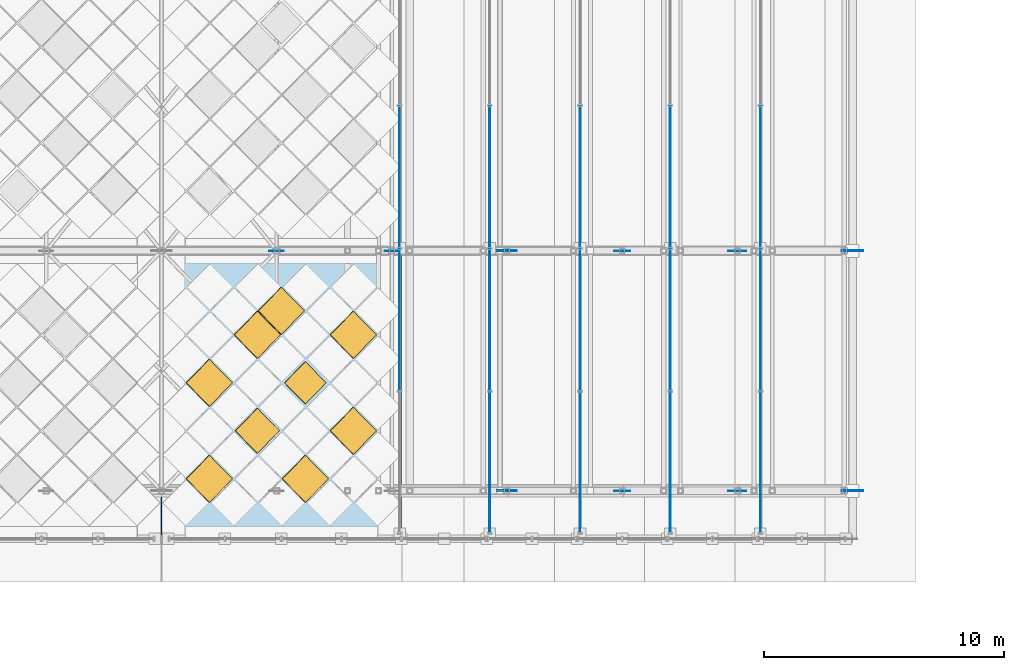
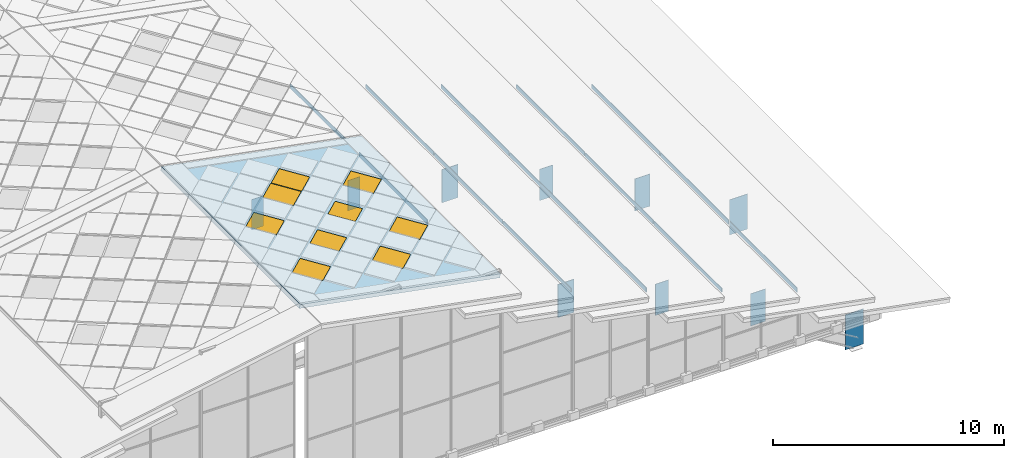
# One storey, part 87 of 117: 24 plates, 9 windows, 1 slab, 9 openings, 5 elements without a shape of their own.
"""IFC4 building model written with IfcOpenShell, lengths in metres."""

import ifcopenshell
import ifcopenshell.guid

model = None  # the IFC model being written
_history = None  # IfcOwnerHistory: only IFC2X3 demands one
_inside = {}  # id of a spatial element -> (the spatial element, [elements in it])
_under = {}  # id of a project, library or spatial element -> (it, [spatial elements below it])
_declared = {}  # id of a project -> (the project, [libraries it declares])
_typed = {}  # id of a type object -> (the type object, [elements of that type])
_made_of = {}  # id of a material, layer set ... -> (it, [elements and type objects made of it])


def new_model(schema):
    """Start an empty IFC model of exactly this schema.

    Asked for "IFC4X3", IfcOpenShell would pick the latest addendum, in which some entities
    have other attributes; the version numbers below select the first issue.
    IFC2X3 requires an IfcOwnerHistory on every rooted entity: one is made here for all.
    """
    global model, _history
    if schema == "IFC4X3":
        model = ifcopenshell.file(schema_version=(4, 3, 0, 0))
    else:
        model = ifcopenshell.file(schema=schema)
    _inside.clear()
    _under.clear()
    _declared.clear()
    _typed.clear()
    _made_of.clear()
    _history = None
    if model.schema == "IFC2X3":
        org = make("IfcOrganization", Name="unknown")
        user = make(
            "IfcPersonAndOrganization",
            ThePerson=make("IfcPerson", FamilyName="unknown"),
            TheOrganization=org,
        )
        app = make(
            "IfcApplication",
            ApplicationDeveloper=org,
            Version="unknown",
            ApplicationFullName="unknown",
            ApplicationIdentifier="unknown",
        )
        _history = make(
            "IfcOwnerHistory",
            OwningUser=user,
            OwningApplication=app,
            ChangeAction="ADDED",
            CreationDate=0,
        )
    return model


def make(cls, **values):
    """One entity of the class cls with the attributes given. An attribute that is None is left unset."""
    return model.create_entity(
        cls, **{name: value for name, value in values.items() if value is not None}
    )


def rooted(cls, **values):
    """An entity with a GlobalId (a new one), such as an element, a storey or a relation."""
    return make(cls, GlobalId=ifcopenshell.guid.new(), OwnerHistory=_history, **values)


def si_unit(unit_type, name, prefix=None):
    """IfcSIUnit, for example si_unit("LENGTHUNIT", "METRE", prefix="MILLI")."""
    return make("IfcSIUnit", UnitType=unit_type, Prefix=prefix, Name=name)


def assignment(units):
    """IfcUnitAssignment: the units of a project."""
    return None if units is None else make("IfcUnitAssignment", Units=units)


def point(xyz):
    """IfcCartesianPoint."""
    return None if xyz is None else make("IfcCartesianPoint", Coordinates=xyz)


def direction(xyz):
    """IfcDirection."""
    return None if xyz is None else make("IfcDirection", DirectionRatios=xyz)


def frame(location, z_axis=None, x_axis=None):
    """IfcAxis2Placement3D, a coordinate frame: its origin and axes. An axis left out is left unset."""
    return make(
        "IfcAxis2Placement3D",
        Location=point(location),
        Axis=direction(z_axis),
        RefDirection=direction(x_axis),
    )


def frame_2d(location, x_axis=None):
    """IfcAxis2Placement2D, a coordinate frame in the plane: its origin and x axis."""
    return make(
        "IfcAxis2Placement2D", Location=point(location), RefDirection=direction(x_axis)
    )


def origin():
    """The frame at (0, 0, 0) with its axes left unset."""
    return frame((0.0, 0.0, 0.0))


def origin_2d():
    """The frame at (0, 0) in the plane with its x axis left unset."""
    return frame_2d((0.0, 0.0))


def place(relative_to, where):
    """IfcLocalPlacement: puts the frame where relative to a parent placement (None: the world)."""
    return make(
        "IfcLocalPlacement", PlacementRelTo=relative_to, RelativePlacement=where
    )


def context(
    kind, dimensions, precision=None, world=None, true_north=None, identifier=None
):
    """IfcGeometricRepresentationContext, for example the 3D "Model" context."""
    return make(
        "IfcGeometricRepresentationContext",
        ContextIdentifier=identifier,
        ContextType=kind,
        CoordinateSpaceDimension=dimensions,
        Precision=precision,
        WorldCoordinateSystem=world,
        TrueNorth=true_north,
    )


def subcontext(parent, identifier, kind, view, scale=None):
    """IfcGeometricRepresentationSubContext, for example "Body" below "Model"."""
    return make(
        "IfcGeometricRepresentationSubContext",
        ContextIdentifier=identifier,
        ContextType=kind,
        ParentContext=parent,
        TargetScale=scale,
        TargetView=view,
    )


def project(units=None, contexts=None):
    """IfcProject with its units and contexts."""
    return rooted(
        "IfcProject",
        Name="project",
        RepresentationContexts=contexts,
        UnitsInContext=assignment(units),
    )


def spatial(cls, under=None, at=None, **own):
    """A site, building, storey or space (cls), placed at a placement, below another one or the project."""
    s = rooted(cls, ObjectPlacement=at, **own)
    if under is not None:
        _under.setdefault(under.id(), (under, []))[1].append(s)
    return s


def polyline(points):
    """IfcPolyline through the points."""
    return make("IfcPolyline", Points=[point(p) for p in points])


def profile(cls, at=None, kind="AREA", **sizes):
    """A parametric profile (cls). Its sizes go by their IFC names, for example OverallWidth=200.0."""
    return make(cls, ProfileType=kind, Position=at, **sizes)


def rectangle(**sizes):
    """IfcRectangleProfileDef."""
    return profile("IfcRectangleProfileDef", **sizes)


def outline(outer, holes=None, kind="AREA"):
    """IfcArbitraryClosedProfileDef: a profile drawn as a closed curve; with holes, ...WithVoids."""
    if holes is None:
        return make("IfcArbitraryClosedProfileDef", ProfileType=kind, OuterCurve=outer)
    return make(
        "IfcArbitraryProfileDefWithVoids",
        ProfileType=kind,
        OuterCurve=outer,
        InnerCurves=holes,
    )


def extrude(swept, where, along, depth):
    """IfcExtrudedAreaSolid: the profile swept, set in the frame where, extruded along a direction by depth."""
    return make(
        "IfcExtrudedAreaSolid",
        SweptArea=swept,
        Position=where,
        ExtrudedDirection=direction(along),
        Depth=depth,
    )


def shape(context_of_items, identifier, shape_type, items):
    """IfcShapeRepresentation: the items that make up one representation, for example the "Body"."""
    return make(
        "IfcShapeRepresentation",
        ContextOfItems=context_of_items,
        RepresentationIdentifier=identifier,
        RepresentationType=shape_type,
        Items=items,
    )


def material(Name=None, Category=None):
    """IfcMaterial."""
    return make("IfcMaterial", Name=Name, Category=Category)


def layer(
    of_material, thickness, ventilated=None, Name=None, Category=None, Priority=None
):
    """IfcMaterialLayer: one layer of a wall or slab, of a material (None: an air gap)."""
    return make(
        "IfcMaterialLayer",
        Material=of_material,
        LayerThickness=thickness,
        IsVentilated=ventilated,
        Name=Name,
        Category=Category,
        Priority=Priority,
    )


def layer_set(layers, Name=None):
    """IfcMaterialLayerSet."""
    return make("IfcMaterialLayerSet", MaterialLayers=layers, LayerSetName=Name)


def made_of(thing, what):
    """Note that an element or type object is made of a material, layer set ...; save() writes the relation."""
    if what is not None:
        _made_of.setdefault(what.id(), (what, []))[1].append(thing)
    return thing


def type_object(cls, material=None, **own):
    """A type object (cls), such as IfcWallType, which elements share."""
    return made_of(rooted(cls, **own), material)


def element(
    cls,
    number,
    at=None,
    inside=None,
    cuts=None,
    type_object=None,
    material=None,
    context=None,
    identifier="Body",
    shape_type=None,
    held_by="IfcProductDefinitionShape",
    body=None,
    shapes=None,
    **own,
):
    """One element of the class cls, such as IfcWall. Its Tag is "e" and its number.

    at: its placement. inside: the storey or other place that contains it. cuts: it is an
    opening in that element (IfcRelVoidsElement). A single representation is given by context,
    identifier, shape_type and body (its items); several are given by shapes. held_by: the class
    of the entity that holds the representations. save() writes the other relations.
    """
    e = rooted(cls, Tag="e%d" % number, ObjectPlacement=at, **own)
    if body is not None:
        shapes = [shape(context, identifier, shape_type, body)]
    if shapes is not None:
        e.Representation = make(held_by, Representations=shapes)
    if inside is not None:
        _inside.setdefault(inside.id(), (inside, []))[1].append(e)
    if cuts is not None:
        rooted(
            "IfcRelVoidsElement", RelatingBuildingElement=cuts, RelatedOpeningElement=e
        )
    if type_object is not None:
        _typed.setdefault(type_object.id(), (type_object, []))[1].append(e)
    return made_of(e, material)


def fill(opening, filler):
    """IfcRelFillsElement: the door or window that sits in an opening."""
    return rooted(
        "IfcRelFillsElement",
        RelatingOpeningElement=opening,
        RelatedBuildingElement=filler,
    )


def aggregate(whole, parts):
    """IfcRelAggregates: a whole, such as a stair, and the parts it consists of."""
    return rooted("IfcRelAggregates", RelatingObject=whole, RelatedObjects=parts)


def save(model, path):
    """Write the relations noted so far, then the file.

    IfcRelAggregates (storeys below a building ...), IfcRelContainedInSpatialStructure (elements
    in a storey), IfcRelDefinesByType, IfcRelAssociatesMaterial and IfcRelDeclares: one each for
    every whole, place, type object, material and project.
    """
    for whole, parts in _under.values():
        aggregate(whole, parts)
    for where, things in _inside.values():
        rooted(
            "IfcRelContainedInSpatialStructure",
            RelatedElements=things,
            RelatingStructure=where,
        )
    for kind, things in _typed.values():
        rooted("IfcRelDefinesByType", RelatedObjects=things, RelatingType=kind)
    for what, things in _made_of.values():
        rooted("IfcRelAssociatesMaterial", RelatedObjects=things, RelatingMaterial=what)
    for by, libraries in _declared.values():
        rooted("IfcRelDeclares", RelatingContext=by, RelatedDefinitions=libraries)
    model.write(path)


model = new_model("IFC4")

# Units and contexts
model_context = context("Model", 3, precision=1e-05, world=origin(), true_north=direction((0.0, 1.0)))
body_context = subcontext(model_context, "Body", "Model", "MODEL_VIEW")
ifc_project = project(units=[si_unit("LENGTHUNIT", "METRE"), si_unit("AREAUNIT", "SQUARE_METRE"), si_unit("VOLUMEUNIT", "CUBIC_METRE"), si_unit("PLANEANGLEUNIT", "RADIAN"), si_unit("MASSUNIT", "GRAM", prefix="KILO")], contexts=[model_context])

# Site, building, storey
site_placement = place(None, origin())
site = spatial("IfcSite", under=ifc_project, at=site_placement, CompositionType="ELEMENT")
building_placement = place(site_placement, origin())
building = spatial("IfcBuilding", under=site, at=building_placement, Name="Merenkruunu Market Hall", CompositionType="ELEMENT")
storey_placement = place(building_placement, frame((0.0, 0.0, 22.800048828125)))
storey = spatial("IfcBuildingStorey", under=building, at=storey_placement, Name="RF", CompositionType="ELEMENT", Elevation=22.800048828125)

# Curtain wall, plates
ifc_material_1 = material(Name="Powder-coated aluminium", Category="aluminium")
curtain_wall_type = type_object("IfcCurtainWallType", Name="Clerestory Curtain Band CL05", PredefinedType="USERDEFINED", material=ifc_material_1)
curtain_wall_1_placement = place(storey_placement, origin())
curtain_wall_1 = element("IfcCurtainWall", 1, at=curtain_wall_1_placement, inside=storey, type_object=curtain_wall_type, Name="CW-RF-CWM04-082", ObjectType="CLERESTORY_BAND", PredefinedType="USERDEFINED")
ifc_material_2 = material(Name="Triple low-E insulated glass", Category="glass")
ifc_layer_1 = layer(ifc_material_2, 0.035888671875)
ifc_layer_set_1 = layer_set([ifc_layer_1], Name="Triple low-E insulated glass")
plate_type_1 = type_object("IfcPlateType", Name="Curtain Wall Glazing Panel CWP08", PredefinedType="CURTAIN_PANEL", material=ifc_layer_set_1)
plate_1_placement = place(storey_placement, frame((53.760009765625, 30.675048828125, -6.462158203125), z_axis=(0.0, 0.0, 1.0), x_axis=(0.0, -1.0, 0.0)))
plate_1 = element("IfcPlate", 2, at=plate_1_placement, type_object=plate_type_1, Name="CL05 panel 2.1", PredefinedType="CURTAIN_PANEL", context=body_context, shape_type="SweptSolid", body=[
    extrude(rectangle(XDim=5.8798828125, YDim=0.035888671875, at=origin_2d()), origin(), (0.0, 0.0, 1.0), 0.22802734375),
])
plate_2_placement = place(storey_placement, frame((53.760009765625, 24.72509765625, -6.462158203125), z_axis=(0.0, 0.0, 1.0), x_axis=(0.0, -1.0, 0.0)))
plate_2 = element("IfcPlate", 3, at=plate_2_placement, type_object=plate_type_1, Name="CL05 panel 3.1", PredefinedType="CURTAIN_PANEL", context=body_context, shape_type="SweptSolid", body=[
    extrude(rectangle(XDim=5.8798828125, YDim=0.035888671875, at=origin_2d()), origin(), (0.0, 0.0, 1.0), 0.22802734375),
])
plate_3_placement = place(storey_placement, frame((53.760009765625, 18.79248046875, -6.462158203125), z_axis=(0.0, 0.0, 1.0), x_axis=(0.0, -1.0, 0.0)))
plate_3 = element("IfcPlate", 4, at=plate_3_placement, type_object=plate_type_1, Name="CL05 panel 4.1", PredefinedType="CURTAIN_PANEL", context=body_context, shape_type="SweptSolid", body=[
    extrude(rectangle(XDim=5.844970703125, YDim=0.035888671875, at=origin_2d()), origin(), (0.0, 0.0, 1.0), 0.22802734375),
])
aggregate(curtain_wall_1, [plate_1, plate_2, plate_3])

curtain_wall_2_placement = place(storey_placement, origin())
curtain_wall_2 = element("IfcCurtainWall", 5, at=curtain_wall_2_placement, inside=storey, type_object=curtain_wall_type, Name="CW-RF-CWM04-090", ObjectType="CLERESTORY_BAND", PredefinedType="USERDEFINED")
plate_4_placement = place(storey_placement, frame((50.0, 30.675048828125, -5.14208984375), z_axis=(0.0, 0.0, 1.0), x_axis=(0.0, -1.0, 0.0)))
plate_4 = element("IfcPlate", 6, at=plate_4_placement, type_object=plate_type_1, Name="CL05 panel 2.1", PredefinedType="CURTAIN_PANEL", context=body_context, shape_type="SweptSolid", body=[
    extrude(rectangle(XDim=5.8798828125, YDim=0.035888671875, at=origin_2d()), origin(), (0.0, 0.0, 1.0), 0.20703125),
])
plate_5_placement = place(storey_placement, frame((50.0, 24.72509765625, -5.14208984375), z_axis=(0.0, 0.0, 1.0), x_axis=(0.0, -1.0, 0.0)))
plate_5 = element("IfcPlate", 7, at=plate_5_placement, type_object=plate_type_1, Name="CL05 panel 3.1", PredefinedType="CURTAIN_PANEL", context=body_context, shape_type="SweptSolid", body=[
    extrude(rectangle(XDim=5.8798828125, YDim=0.035888671875, at=origin_2d()), origin(), (0.0, 0.0, 1.0), 0.20703125),
])
plate_6_placement = place(storey_placement, frame((50.0, 18.79248046875, -5.14208984375), z_axis=(0.0, 0.0, 1.0), x_axis=(0.0, -1.0, 0.0)))
plate_6 = element("IfcPlate", 8, at=plate_6_placement, type_object=plate_type_1, Name="CL05 panel 4.1", PredefinedType="CURTAIN_PANEL", context=body_context, shape_type="SweptSolid", body=[
    extrude(rectangle(XDim=5.844970703125, YDim=0.035888671875, at=origin_2d()), origin(), (0.0, 0.0, 1.0), 0.20703125),
])
aggregate(curtain_wall_2, [plate_4, plate_5, plate_6])

curtain_wall_3_placement = place(storey_placement, origin())
curtain_wall_3 = element("IfcCurtainWall", 9, at=curtain_wall_3_placement, inside=storey, type_object=curtain_wall_type, Name="CW-RF-CWM04-098", ObjectType="CLERESTORY_BAND", PredefinedType="USERDEFINED")
plate_7_placement = place(storey_placement, frame((46.239990234375, 30.675048828125, -3.822021484375), z_axis=(0.0, 0.0, 1.0), x_axis=(0.0, -1.0, 0.0)))
plate_7 = element("IfcPlate", 10, at=plate_7_placement, type_object=plate_type_1, Name="CL05 panel 2.1", PredefinedType="CURTAIN_PANEL", context=body_context, shape_type="SweptSolid", body=[
    extrude(rectangle(XDim=5.8798828125, YDim=0.035888671875, at=origin_2d()), origin(), (0.0, 0.0, 1.0), 0.22802734375),
])
plate_8_placement = place(storey_placement, frame((46.239990234375, 24.72509765625, -3.822021484375), z_axis=(0.0, 0.0, 1.0), x_axis=(0.0, -1.0, 0.0)))
plate_8 = element("IfcPlate", 11, at=plate_8_placement, type_object=plate_type_1, Name="CL05 panel 3.1", PredefinedType="CURTAIN_PANEL", context=body_context, shape_type="SweptSolid", body=[
    extrude(rectangle(XDim=5.8798828125, YDim=0.035888671875, at=origin_2d()), origin(), (0.0, 0.0, 1.0), 0.22802734375),
])
plate_9_placement = place(storey_placement, frame((46.239990234375, 18.79248046875, -3.822021484375), z_axis=(0.0, 0.0, 1.0), x_axis=(0.0, -1.0, 0.0)))
plate_9 = element("IfcPlate", 12, at=plate_9_placement, type_object=plate_type_1, Name="CL05 panel 4.1", PredefinedType="CURTAIN_PANEL", context=body_context, shape_type="SweptSolid", body=[
    extrude(rectangle(XDim=5.844970703125, YDim=0.035888671875, at=origin_2d()), origin(), (0.0, 0.0, 1.0), 0.22802734375),
])
aggregate(curtain_wall_3, [plate_7, plate_8, plate_9])

curtain_wall_4_placement = place(storey_placement, origin())
curtain_wall_4 = element("IfcCurtainWall", 13, at=curtain_wall_4_placement, inside=storey, type_object=curtain_wall_type, Name="CW-RF-CWM04-106", ObjectType="CLERESTORY_BAND", PredefinedType="USERDEFINED")
plate_10_placement = place(storey_placement, frame((42.47998046875, 30.675048828125, -2.501953125), z_axis=(0.0, 0.0, 1.0), x_axis=(0.0, -1.0, 0.0)))
plate_10 = element("IfcPlate", 14, at=plate_10_placement, type_object=plate_type_1, Name="CL05 panel 2.1", PredefinedType="CURTAIN_PANEL", context=body_context, shape_type="SweptSolid", body=[
    extrude(rectangle(XDim=5.8798828125, YDim=0.035888671875, at=origin_2d()), origin(), (0.0, 0.0, 1.0), 0.20703125),
])
plate_11_placement = place(storey_placement, frame((42.47998046875, 24.72509765625, -2.501953125), z_axis=(0.0, 0.0, 1.0), x_axis=(0.0, -1.0, 0.0)))
plate_11 = element("IfcPlate", 15, at=plate_11_placement, type_object=plate_type_1, Name="CL05 panel 3.1", PredefinedType="CURTAIN_PANEL", context=body_context, shape_type="SweptSolid", body=[
    extrude(rectangle(XDim=5.8798828125, YDim=0.035888671875, at=origin_2d()), origin(), (0.0, 0.0, 1.0), 0.20703125),
])
plate_12_placement = place(storey_placement, frame((42.47998046875, 18.79248046875, -2.501953125), z_axis=(0.0, 0.0, 1.0), x_axis=(0.0, -1.0, 0.0)))
plate_12 = element("IfcPlate", 16, at=plate_12_placement, type_object=plate_type_1, Name="CL05 panel 4.1", PredefinedType="CURTAIN_PANEL", context=body_context, shape_type="SweptSolid", body=[
    extrude(rectangle(XDim=5.844970703125, YDim=0.035888671875, at=origin_2d()), origin(), (0.0, 0.0, 1.0), 0.20703125),
])
aggregate(curtain_wall_4, [plate_10, plate_11, plate_12])

curtain_wall_5_placement = place(storey_placement, origin())
curtain_wall_5 = element("IfcCurtainWall", 17, at=curtain_wall_5_placement, inside=storey, type_object=curtain_wall_type, Name="CW-RF-CWM04-114", ObjectType="CLERESTORY_BAND", PredefinedType="USERDEFINED")
plate_13_placement = place(storey_placement, frame((38.719970703125, 30.675048828125, -1.18212890625), z_axis=(0.0, 0.0, 1.0), x_axis=(0.0, -1.0, 0.0)))
plate_13 = element("IfcPlate", 18, at=plate_13_placement, type_object=plate_type_1, Name="CL05 panel 2.1", PredefinedType="CURTAIN_PANEL", context=body_context, shape_type="SweptSolid", body=[
    extrude(rectangle(XDim=5.8798828125, YDim=0.035888671875, at=origin_2d()), origin(), (0.0, 0.0, 1.0), 0.22802734375),
])
plate_14_placement = place(storey_placement, frame((38.719970703125, 24.72509765625, -1.18212890625), z_axis=(0.0, 0.0, 1.0), x_axis=(0.0, -1.0, 0.0)))
plate_14 = element("IfcPlate", 19, at=plate_14_placement, type_object=plate_type_1, Name="CL05 panel 3.1", PredefinedType="CURTAIN_PANEL", context=body_context, shape_type="SweptSolid", body=[
    extrude(rectangle(XDim=5.8798828125, YDim=0.035888671875, at=origin_2d()), origin(), (0.0, 0.0, 1.0), 0.22802734375),
])
aggregate(curtain_wall_5, [plate_13, plate_14])

# Slab, openings, windows
ifc_material_3 = material(Name="High-albedo white roof Steel S355ML", Category="steel")
ifc_layer_2 = layer(ifc_material_3, 0.199951171875)
ifc_layer_set_2 = layer_set([ifc_layer_2], Name="High-albedo white roof Steel S355ML")
slab_type = type_object("IfcSlabType", Name="Sloped Or Flat Roof Deck RS01", PredefinedType="ROOF", material=ifc_layer_set_2)
slab_placement = place(storey_placement, frame((28.800048828125, 15.60009765625, 1.800048828125), z_axis=(0.184775267092, 0.0, 0.98278079991), x_axis=(0.98278079991, 0.0, -0.184775267092)))
slab = element("IfcSlab", 20, at=slab_placement, inside=storey, type_object=slab_type, Name="SL-ROOF-V1-CROWN-E-01", PredefinedType="ROOF", context=body_context, shape_type="SweptSolid", body=[
    extrude(outline(polyline([(0.0, 0.0), (10.175208959027184, 0.0), (10.175208959027184, 12.0), (0.0, 12.0), (0.0, 0.0)])), origin(), (0.0, 0.0, -1.0), 0.199951171875),
])
opening_1_placement = place(slab_placement, frame((2.034912109375, 2.5, 0.0), z_axis=(0.0, 0.0, 1.0), x_axis=(0.707106781187, 0.707106781187, 0.0)))
opening_1 = element("IfcOpeningElement", 21, at=opening_1_placement, cuts=slab, Name="Opening SK01", PredefinedType="OPENING", context=body_context, shape_type="SweptSolid", body=[
    extrude(rectangle(XDim=1.3798828125, YDim=1.3798828125, at=origin_2d()), frame((0.0, 0.0, 0.014892578125), z_axis=(0.0, 0.0, -1.0), x_axis=(1.0, 0.0, 0.0)), (0.0, 0.0, 1.0), 0.229736328125),
])
opening_2_placement = place(slab_placement, frame((2.034912109375, 6.5, 0.0), z_axis=(0.0, 0.0, 1.0), x_axis=(0.707106781187, 0.707106781187, 0.0)))
opening_2 = element("IfcOpeningElement", 22, at=opening_2_placement, cuts=slab, Name="Opening SK01", PredefinedType="OPENING", context=body_context, shape_type="SweptSolid", body=[
    extrude(rectangle(XDim=1.3798828125, YDim=1.3798828125, at=origin_2d()), frame((0.0, 0.0, 0.014892578125), z_axis=(0.0, 0.0, -1.0), x_axis=(1.0, 0.0, 0.0)), (0.0, 0.0, 1.0), 0.229736328125),
])
opening_3_placement = place(slab_placement, frame((4.070068359375, 4.5, -0.000244140625), z_axis=(0.0, 0.0, 1.0), x_axis=(0.707106781187, 0.707106781187, 0.0)))
opening_3 = element("IfcOpeningElement", 23, at=opening_3_placement, cuts=slab, Name="Opening SK02", PredefinedType="OPENING", context=body_context, shape_type="SweptSolid", body=[
    extrude(rectangle(XDim=1.320068359375, YDim=1.320068359375, at=origin_2d()), frame((0.0, 0.0, 0.014892578125), z_axis=(0.0, 0.0, -1.0), x_axis=(1.0, 0.0, 0.0)), (0.0, 0.0, 1.0), 0.229736328125),
])
opening_4_placement = place(slab_placement, frame((4.070068359375, 8.5, -0.000244140625), z_axis=(0.0, 0.0, 1.0), x_axis=(0.707106781187, 0.707106781187, 0.0)))
opening_4 = element("IfcOpeningElement", 24, at=opening_4_placement, cuts=slab, Name="Opening SK01", PredefinedType="OPENING", context=body_context, shape_type="SweptSolid", body=[
    extrude(rectangle(XDim=1.3798828125, YDim=1.3798828125, at=origin_2d()), frame((0.0, 0.0, 0.014892578125), z_axis=(0.0, 0.0, -1.0), x_axis=(1.0, 0.0, 0.0)), (0.0, 0.0, 1.0), 0.229736328125),
])
opening_5_placement = place(slab_placement, frame((5.087646484375, 9.5, 0.0), z_axis=(0.0, 0.0, 1.0), x_axis=(0.707106781187, 0.707106781187, 0.0)))
opening_5 = element("IfcOpeningElement", 25, at=opening_5_placement, cuts=slab, Name="Opening SK01", PredefinedType="OPENING", context=body_context, shape_type="SweptSolid", body=[
    extrude(rectangle(XDim=1.3798828125, YDim=1.3798828125, at=origin_2d()), frame((0.0, 0.0, 0.014892578125), z_axis=(0.0, 0.0, -1.0), x_axis=(1.0, 0.0, 0.0)), (0.0, 0.0, 1.0), 0.229736328125),
])
opening_6_placement = place(slab_placement, frame((6.105224609375, 2.5, 0.0), z_axis=(0.0, 0.0, 1.0), x_axis=(0.707106781187, 0.707106781187, 0.0)))
opening_6 = element("IfcOpeningElement", 26, at=opening_6_placement, cuts=slab, Name="Opening SK01", PredefinedType="OPENING", context=body_context, shape_type="SweptSolid", body=[
    extrude(rectangle(XDim=1.3798828125, YDim=1.3798828125, at=origin_2d()), frame((0.0, 0.0, 0.014892578125), z_axis=(0.0, 0.0, -1.0), x_axis=(1.0, 0.0, 0.0)), (0.0, 0.0, 1.0), 0.229736328125),
])
opening_7_placement = place(slab_placement, frame((6.105224609375, 6.5, 0.0), z_axis=(0.0, 0.0, 1.0), x_axis=(0.707106781187, 0.707106781187, 0.0)))
opening_7 = element("IfcOpeningElement", 27, at=opening_7_placement, cuts=slab, Name="Opening SK03", PredefinedType="OPENING", context=body_context, shape_type="SweptSolid", body=[
    extrude(rectangle(XDim=1.239990234375, YDim=1.239990234375, at=origin_2d()), frame((0.0, 0.0, 0.014892578125), z_axis=(0.0, 0.0, -1.0), x_axis=(1.0, 0.0, 0.0)), (0.0, 0.0, 1.0), 0.229736328125),
])
opening_8_placement = place(slab_placement, frame((8.14013671875, 4.5, 0.0), z_axis=(0.0, 0.0, 1.0), x_axis=(0.707106781187, 0.707106781187, 0.0)))
opening_8 = element("IfcOpeningElement", 28, at=opening_8_placement, cuts=slab, Name="Opening SK01", PredefinedType="OPENING", context=body_context, shape_type="SweptSolid", body=[
    extrude(rectangle(XDim=1.3798828125, YDim=1.3798828125, at=origin_2d()), frame((0.0, 0.0, 0.014892578125), z_axis=(0.0, 0.0, -1.0), x_axis=(1.0, 0.0, 0.0)), (0.0, 0.0, 1.0), 0.229736328125),
])
opening_9_placement = place(slab_placement, frame((8.14013671875, 8.5, 0.0), z_axis=(0.0, 0.0, 1.0), x_axis=(0.707106781187, 0.707106781187, 0.0)))
opening_9 = element("IfcOpeningElement", 29, at=opening_9_placement, cuts=slab, Name="Opening SK01", PredefinedType="OPENING", context=body_context, shape_type="SweptSolid", body=[
    extrude(rectangle(XDim=1.3798828125, YDim=1.3798828125, at=origin_2d()), frame((0.0, 0.0, 0.014892578125), z_axis=(0.0, 0.0, -1.0), x_axis=(1.0, 0.0, 0.0)), (0.0, 0.0, 1.0), 0.229736328125),
])
ifc_material_4 = material(Name="Diamond skylight blue triple glass", Category="glass")
ifc_layer_3 = layer(ifc_material_4, 0.094970703125)
ifc_layer_set_3 = layer_set([ifc_layer_3], Name="Diamond skylight blue triple glass")
window_type_1 = type_object("IfcWindowType", Name="Diamond Roof Skylight SK01", PartitioningType="SINGLE_PANEL", PredefinedType="SKYLIGHT", material=ifc_layer_set_3)
window_1_placement = place(opening_1_placement, origin())
window_1 = element("IfcWindow", 30, at=window_1_placement, inside=storey, type_object=window_type_1, Name="SKY-CROWN-010", OverallHeight=1.3798828125, OverallWidth=1.3798828125, PartitioningType="SINGLE_PANEL", PredefinedType="SKYLIGHT", context=body_context, shape_type="SweptSolid", body=[
    extrude(rectangle(XDim=1.3798828125, YDim=1.3798828125, at=origin_2d()), frame((0.0, 0.0, 0.0), z_axis=(0.0, 0.0, -1.0), x_axis=(1.0, 0.0, 0.0)), (0.0, 0.0, 1.0), 0.094970703125),
])
fill(opening_1, window_1)
window_2_placement = place(opening_2_placement, origin())
window_2 = element("IfcWindow", 31, at=window_2_placement, inside=storey, type_object=window_type_1, Name="SKY-CROWN-011", OverallHeight=1.3798828125, OverallWidth=1.3798828125, PartitioningType="SINGLE_PANEL", PredefinedType="SKYLIGHT", context=body_context, shape_type="SweptSolid", body=[
    extrude(rectangle(XDim=1.3798828125, YDim=1.3798828125, at=origin_2d()), frame((0.0, 0.0, 0.0), z_axis=(0.0, 0.0, -1.0), x_axis=(1.0, 0.0, 0.0)), (0.0, 0.0, 1.0), 0.094970703125),
])
fill(opening_2, window_2)
window_3_placement = place(opening_4_placement, origin())
window_3 = element("IfcWindow", 32, at=window_3_placement, inside=storey, type_object=window_type_1, Name="SKY-CROWN-013", OverallHeight=1.3798828125, OverallWidth=1.3798828125, PartitioningType="SINGLE_PANEL", PredefinedType="SKYLIGHT", context=body_context, shape_type="SweptSolid", body=[
    extrude(rectangle(XDim=1.3798828125, YDim=1.3798828125, at=origin_2d()), frame((0.0, 0.0, 0.0), z_axis=(0.0, 0.0, -1.0), x_axis=(1.0, 0.0, 0.0)), (0.0, 0.0, 1.0), 0.094970703125),
])
fill(opening_4, window_3)
window_4_placement = place(opening_5_placement, origin())
window_4 = element("IfcWindow", 33, at=window_4_placement, inside=storey, type_object=window_type_1, Name="SKY-CROWN-014", OverallHeight=1.3798828125, OverallWidth=1.3798828125, PartitioningType="SINGLE_PANEL", PredefinedType="SKYLIGHT", context=body_context, shape_type="SweptSolid", body=[
    extrude(rectangle(XDim=1.3798828125, YDim=1.3798828125, at=origin_2d()), frame((0.0, 0.0, 0.0), z_axis=(0.0, 0.0, -1.0), x_axis=(1.0, 0.0, 0.0)), (0.0, 0.0, 1.0), 0.094970703125),
])
fill(opening_5, window_4)
window_5_placement = place(opening_6_placement, origin())
window_5 = element("IfcWindow", 34, at=window_5_placement, inside=storey, type_object=window_type_1, Name="SKY-CROWN-015", OverallHeight=1.3798828125, OverallWidth=1.3798828125, PartitioningType="SINGLE_PANEL", PredefinedType="SKYLIGHT", context=body_context, shape_type="SweptSolid", body=[
    extrude(rectangle(XDim=1.3798828125, YDim=1.3798828125, at=origin_2d()), frame((0.0, 0.0, 0.0), z_axis=(0.0, 0.0, -1.0), x_axis=(1.0, 0.0, 0.0)), (0.0, 0.0, 1.0), 0.094970703125),
])
fill(opening_6, window_5)
window_6_placement = place(opening_8_placement, origin())
window_6 = element("IfcWindow", 35, at=window_6_placement, inside=storey, type_object=window_type_1, Name="SKY-CROWN-017", OverallHeight=1.3798828125, OverallWidth=1.3798828125, PartitioningType="SINGLE_PANEL", PredefinedType="SKYLIGHT", context=body_context, shape_type="SweptSolid", body=[
    extrude(rectangle(XDim=1.3798828125, YDim=1.3798828125, at=origin_2d()), frame((0.0, 0.0, 0.0), z_axis=(0.0, 0.0, -1.0), x_axis=(1.0, 0.0, 0.0)), (0.0, 0.0, 1.0), 0.094970703125),
])
fill(opening_8, window_6)
window_7_placement = place(opening_9_placement, origin())
window_7 = element("IfcWindow", 36, at=window_7_placement, inside=storey, type_object=window_type_1, Name="SKY-CROWN-018", OverallHeight=1.3798828125, OverallWidth=1.3798828125, PartitioningType="SINGLE_PANEL", PredefinedType="SKYLIGHT", context=body_context, shape_type="SweptSolid", body=[
    extrude(rectangle(XDim=1.3798828125, YDim=1.3798828125, at=origin_2d()), frame((0.0, 0.0, 0.0), z_axis=(0.0, 0.0, -1.0), x_axis=(1.0, 0.0, 0.0)), (0.0, 0.0, 1.0), 0.094970703125),
])
fill(opening_9, window_7)
ifc_layer_4 = layer(ifc_material_4, 0.094970703125)
ifc_layer_set_4 = layer_set([ifc_layer_4], Name="Diamond skylight blue triple glass")
window_type_2 = type_object("IfcWindowType", Name="Diamond Roof Skylight SK02", PartitioningType="SINGLE_PANEL", PredefinedType="SKYLIGHT", material=ifc_layer_set_4)
window_8_placement = place(opening_3_placement, origin())
window_8 = element("IfcWindow", 37, at=window_8_placement, inside=storey, type_object=window_type_2, Name="SKY-CROWN-012", OverallHeight=1.320068359375, OverallWidth=1.320068359375, PartitioningType="SINGLE_PANEL", PredefinedType="SKYLIGHT", context=body_context, shape_type="SweptSolid", body=[
    extrude(rectangle(XDim=1.320068359375, YDim=1.320068359375, at=origin_2d()), frame((0.0, 0.0, 0.0), z_axis=(0.0, 0.0, -1.0), x_axis=(1.0, 0.0, 0.0)), (0.0, 0.0, 1.0), 0.094970703125),
])
fill(opening_3, window_8)
ifc_layer_5 = layer(ifc_material_4, 0.094970703125)
ifc_layer_set_5 = layer_set([ifc_layer_5], Name="Diamond skylight blue triple glass")
window_type_3 = type_object("IfcWindowType", Name="Roof Smoke Vent Skylight SK03", PartitioningType="SINGLE_PANEL", PredefinedType="SKYLIGHT", material=ifc_layer_set_5)
window_9_placement = place(opening_7_placement, origin())
window_9 = element("IfcWindow", 38, at=window_9_placement, inside=storey, type_object=window_type_3, Name="SKY-CROWN-016", OverallHeight=1.239990234375, OverallWidth=1.239990234375, PartitioningType="SINGLE_PANEL", PredefinedType="SKYLIGHT", context=body_context, shape_type="SweptSolid", body=[
    extrude(rectangle(XDim=1.239990234375, YDim=1.239990234375, at=origin_2d()), frame((0.0, 0.0, 0.0), z_axis=(0.0, 0.0, -1.0), x_axis=(1.0, 0.0, 0.0)), (0.0, 0.0, 1.0), 0.094970703125),
])
fill(opening_7, window_9)

# Plates
ifc_material_5 = material(Name="Steel S355ML", Category="steel")
ifc_layer_6 = layer(ifc_material_5, 0.030029296875)
ifc_layer_set_6 = layer_set([ifc_layer_6], Name="Steel S355ML")
plate_type_2 = type_object("IfcPlateType", Name="Truss Gusset Or Cap Plate TN01", PredefinedType="USERDEFINED", material=ifc_layer_set_6)
for number, where, z_axis, x_axis, name in (
    (39, (57.60009765625, 17.60009765625, -11.72509765625), (0.0, 0.0, 1.0), (1.0, 0.0, 0.0), "PLT-AT-1-NODE-12"),
    (40, (57.60009765625, 27.60009765625, -11.72509765625), (0.0, 0.0, 1.0), (1.0, 0.0, 0.0), "PLT-AT-2-NODE-12"),
):
    element("IfcPlate", number, at=place(storey_placement, frame(where, z_axis=z_axis, x_axis=x_axis)), inside=storey, type_object=plate_type_2, Name=name, ObjectType="GUSSET_PLATE", PredefinedType="USERDEFINED", context=body_context, shape_type="SweptSolid", body=[
        extrude(rectangle(XDim=0.89990234375, YDim=0.030029296875, at=origin_2d()), origin(), (0.0, 0.0, 1.0), 1.85009765625),
    ])
ifc_layer_7 = layer(ifc_material_5, 0.02490234375)
ifc_layer_set_7 = layer_set([ifc_layer_7], Name="Steel S355ML")
plate_type_3 = type_object("IfcPlateType", Name="Truss Gusset Or Cap Plate TN02", PredefinedType="USERDEFINED", material=ifc_layer_set_7)
for number, where, z_axis, x_axis, name in (
    (41, (52.800048828125, 17.60009765625, -8.81591796875), (0.0, 0.0, 1.0), (1.0, 0.0, 0.0), "PLT-AT-1-NODE-11"),
    (42, (52.800048828125, 27.60009765625, -8.81591796875), (0.0, 0.0, 1.0), (1.0, 0.0, 0.0), "PLT-AT-2-NODE-11"),
):
    element("IfcPlate", number, at=place(storey_placement, frame(where, z_axis=z_axis, x_axis=x_axis)), inside=storey, type_object=plate_type_3, Name=name, ObjectType="GUSSET_PLATE", PredefinedType="USERDEFINED", context=body_context, shape_type="SweptSolid", body=[
        extrude(rectangle(XDim=0.75, YDim=0.02490234375, at=origin_2d()), origin(), (0.0, 0.0, 1.0), 1.699951171875),
    ])
ifc_layer_8 = layer(ifc_material_5, 0.02490234375)
ifc_layer_set_8 = layer_set([ifc_layer_8], Name="Steel S355ML")
plate_type_4 = type_object("IfcPlateType", Name="Truss Gusset Or Cap Plate TN03", PredefinedType="USERDEFINED", material=ifc_layer_set_8)
for number, where, z_axis, x_axis, name in (
    (43, (48.0, 17.60009765625, -6.595947265625), (0.0, 0.0, 1.0), (1.0, 0.0, 0.0), "PLT-AT-1-NODE-10"),
    (44, (48.0, 27.60009765625, -6.595947265625), (0.0, 0.0, 1.0), (1.0, 0.0, 0.0), "PLT-AT-2-NODE-10"),
):
    element("IfcPlate", number, at=place(storey_placement, frame(where, z_axis=z_axis, x_axis=x_axis)), inside=storey, type_object=plate_type_4, Name=name, ObjectType="GUSSET_PLATE", PredefinedType="USERDEFINED", context=body_context, shape_type="SweptSolid", body=[
        extrude(rectangle(XDim=0.64990234375, YDim=0.02490234375, at=origin_2d()), origin(), (0.0, 0.0, 1.0), 1.64990234375),
    ])
ifc_layer_9 = layer(ifc_material_5, 0.028076171875)
ifc_layer_set_9 = layer_set([ifc_layer_9], Name="Steel S355ML")
plate_type_5 = type_object("IfcPlateType", Name="Truss Gusset Or Cap Plate TN04", PredefinedType="USERDEFINED", material=ifc_layer_set_9)
for number, where, z_axis, x_axis, name in (
    (45, (43.199951171875, 17.60009765625, -5.005126953125), (0.0, 0.0, 1.0), (1.0, 0.0, 0.0), "PLT-AT-1-NODE-09"),
    (46, (43.199951171875, 27.60009765625, -5.005126953125), (0.0, 0.0, 1.0), (1.0, 0.0, 0.0), "PLT-AT-2-NODE-09"),
):
    element("IfcPlate", number, at=place(storey_placement, frame(where, z_axis=z_axis, x_axis=x_axis)), inside=storey, type_object=plate_type_5, Name=name, ObjectType="GUSSET_PLATE", PredefinedType="USERDEFINED", context=body_context, shape_type="SweptSolid", body=[
        extrude(rectangle(XDim=0.800048828125, YDim=0.028076171875, at=origin_2d()), origin(), (0.0, 0.0, 1.0), 1.75),
    ])
ifc_layer_10 = layer(ifc_material_5, 0.02197265625)
ifc_layer_set_10 = layer_set([ifc_layer_10], Name="Steel S355ML")
plate_type_6 = type_object("IfcPlateType", Name="Truss Gusset Or Cap Plate TN05", PredefinedType="USERDEFINED", material=ifc_layer_set_10)
for number, where, z_axis, x_axis, name in (
    (47, (33.60009765625, 27.60009765625, -3.1181640625), (0.0, 0.0, 1.0), (1.0, 0.0, 0.0), "PLT-AT-2-NODE-07"),
    (48, (38.39990234375, 27.60009765625, -3.7900390625), (0.0, 0.0, 1.0), (1.0, 0.0, 0.0), "PLT-AT-2-NODE-08"),
):
    element("IfcPlate", number, at=place(storey_placement, frame(where, z_axis=z_axis, x_axis=x_axis)), inside=storey, type_object=plate_type_6, Name=name, ObjectType="GUSSET_PLATE", PredefinedType="USERDEFINED", context=body_context, shape_type="SweptSolid", body=[
        extrude(rectangle(XDim=0.60009765625, YDim=0.02197265625, at=origin_2d()), origin(), (0.0, 0.0, 1.0), 1.60009765625),
    ])

save(model, "model.ifc")
